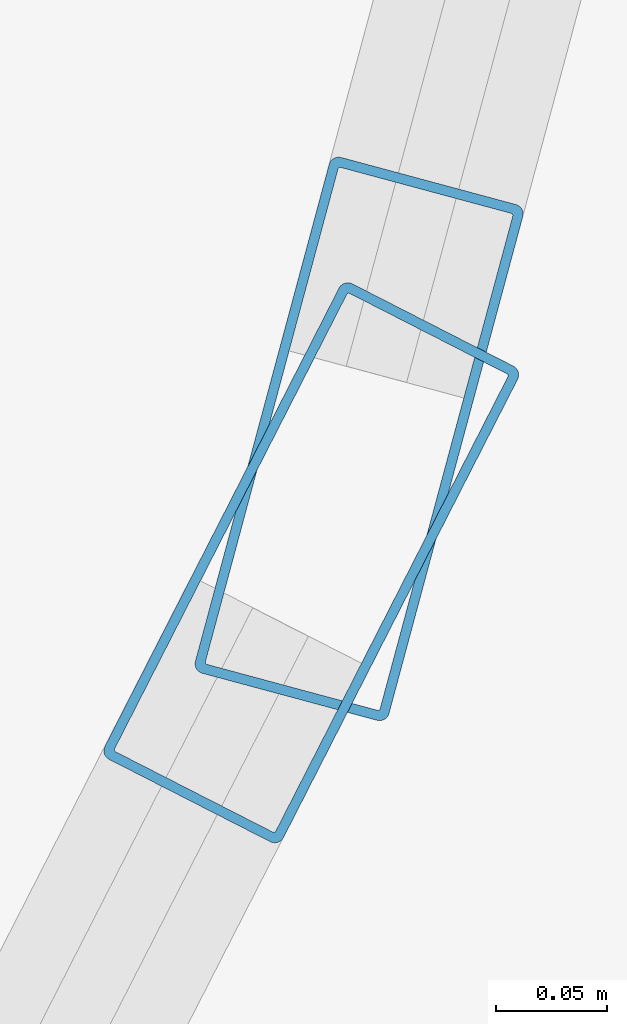
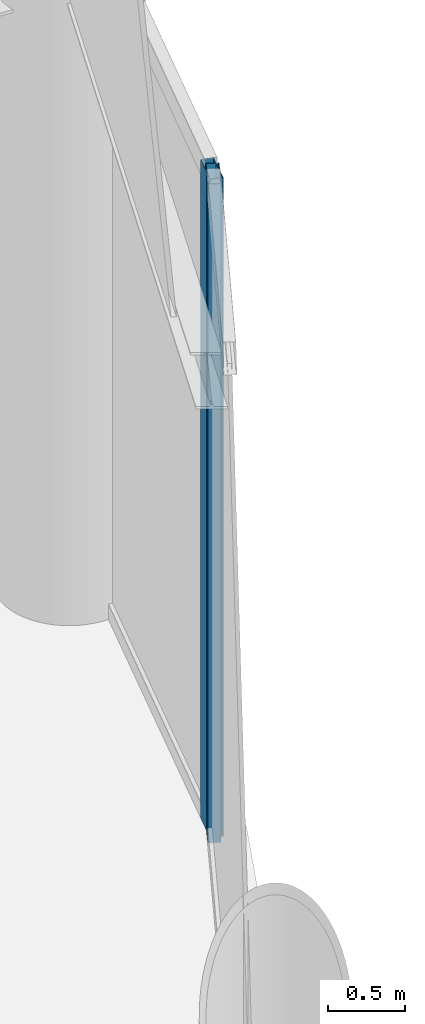
# One storey, part 17 of 40: 2 members, 2 elements without a shape of their own.
"""IFC4 building model written with IfcOpenShell, lengths in metres."""

from ifc_helpers import new_model, si_unit, direction, frame, origin, origin_2d, place, context, subcontext, project, spatial, hollow_rectangle, extrude, material, layer, layer_set, material_profile, profile_set, type_object, element, aggregate, save


model = new_model("IFC4")

# Units and contexts
model_context = context("Model", 3, precision=1e-05, world=origin(), true_north=direction((0.0, 1.0)))
body_context = subcontext(model_context, "Body", "Model", "MODEL_VIEW")
ifc_project = project(units=[si_unit("LENGTHUNIT", "METRE"), si_unit("AREAUNIT", "SQUARE_METRE"), si_unit("VOLUMEUNIT", "CUBIC_METRE"), si_unit("PLANEANGLEUNIT", "RADIAN"), si_unit("MASSUNIT", "GRAM", prefix="KILO")], contexts=[model_context])

# Site, building, storey
site_placement = place(None, origin())
site = spatial("IfcSite", under=ifc_project, at=site_placement, CompositionType="ELEMENT")
building_placement = place(site_placement, origin())
building = spatial("IfcBuilding", under=site, at=building_placement, Name="Bramvorn Convention Spire", CompositionType="ELEMENT")
storey_placement = place(building_placement, frame((0.0, 0.0, 312.5)))
storey = spatial("IfcBuildingStorey", under=building, at=storey_placement, Name="L79", CompositionType="ELEMENT", Elevation=312.5)

# Curtain wall, member
ifc_material_1 = material(Name="Anodised Bronze Unitised Curtain Wall", Category="aluminium")
ifc_layer = layer(ifc_material_1, 0.199951171875)
ifc_layer_set = layer_set([ifc_layer], Name="Anodised Bronze Unitised Curtain Wall - CW-CROWN-SPIRE")
curtain_wall_type = type_object("IfcCurtainWallType", Name="CW-CROWN-SPIRE", PredefinedType="USERDEFINED", material=ifc_layer_set)
curtain_wall_1_placement = place(storey_placement, origin())
curtain_wall_1 = element("IfcCurtainWall", 1, at=curtain_wall_1_placement, inside=storey, type_object=curtain_wall_type, Name="L79 fritted glass curtain wall 03", ObjectType="UNITISED CURTAIN WALL", PredefinedType="USERDEFINED")
ifc_material_2 = material(Name="Anodised Bronze Aluminium 6063-T6", Category="aluminium")
ifc_material_profile = material_profile(ifc_material_2, hollow_rectangle(XDim=0.090087890625, YDim=0.239990234375, WallThickness=0.00439453125, InnerFilletRadius=0.0009765625, OuterFilletRadius=0.00439453125, at=origin_2d()))
ifc_profile_set = profile_set([ifc_material_profile], Name="Anodised Bronze Aluminium 6063-T6 - CWM90X240")
member_type = type_object("IfcMemberType", Name="CW-MUL-220", PredefinedType="MULLION", material=ifc_profile_set)
member_1_placement = place(storey_placement, frame((55.415283203125, 15.1767578125, 0.0), z_axis=(0.0, 0.0, 1.0), x_axis=(0.890509664931, -0.454964324607, 0.0)))
member_1 = element("IfcMember", 2, at=member_1_placement, type_object=member_type, Name="CW6 mullion 1", PredefinedType="MULLION", context=body_context, shape_type="SweptSolid", body=[
    extrude(hollow_rectangle(XDim=0.090087890625, YDim=0.239990234375, WallThickness=0.00439453125, InnerFilletRadius=0.0009765625, OuterFilletRadius=0.00439453125, at=origin_2d()), origin(), (0.0, 0.0, 1.0), 5.25),
])
aggregate(curtain_wall_1, [member_1])

curtain_wall_2_placement = place(storey_placement, origin())
curtain_wall_2 = element("IfcCurtainWall", 3, at=curtain_wall_2_placement, inside=storey, type_object=curtain_wall_type, Name="L79 fritted glass curtain wall 04", ObjectType="UNITISED CURTAIN WALL", PredefinedType="USERDEFINED")
member_2_placement = place(storey_placement, frame((55.436767578125, 15.232421875, 0.0), z_axis=(0.0, 0.0, 1.0), x_axis=(0.965618064415, -0.259964908545, 0.0)))
member_2 = element("IfcMember", 4, at=member_2_placement, type_object=member_type, Name="CW6 mullion 2", PredefinedType="MULLION", context=body_context, shape_type="SweptSolid", body=[
    extrude(hollow_rectangle(XDim=0.090087890625, YDim=0.239990234375, WallThickness=0.00439453125, InnerFilletRadius=0.0009765625, OuterFilletRadius=0.00439453125, at=origin_2d()), origin(), (0.0, 0.0, 1.0), 5.25),
])
aggregate(curtain_wall_2, [member_2])

save(model, "model.ifc")
